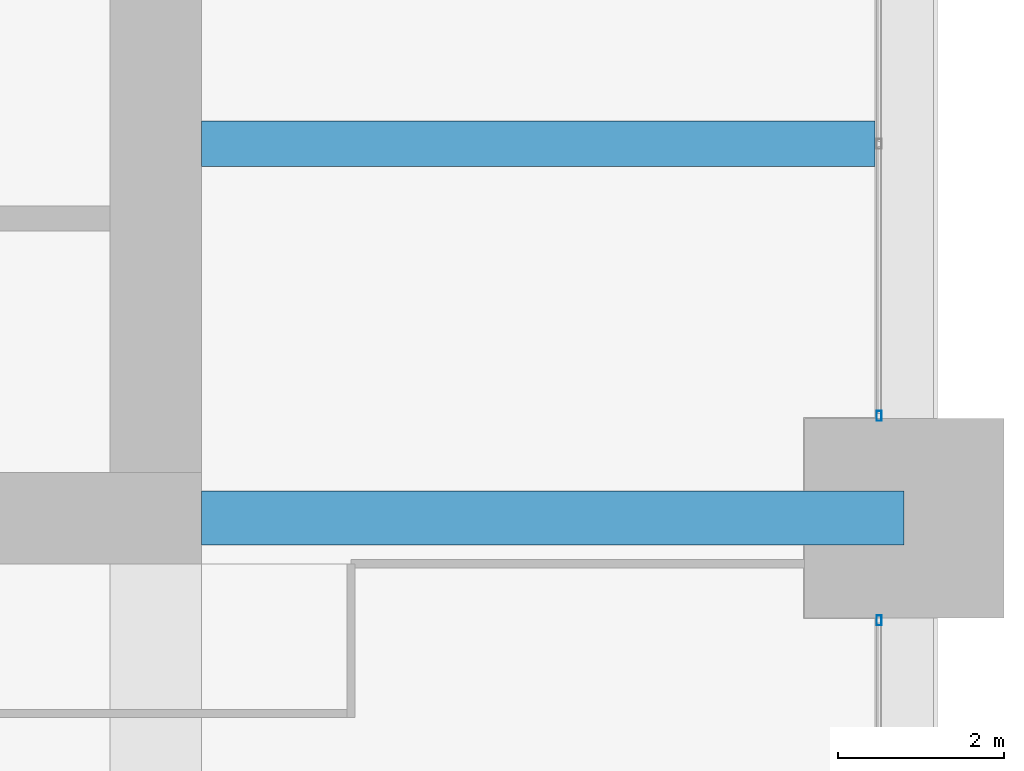
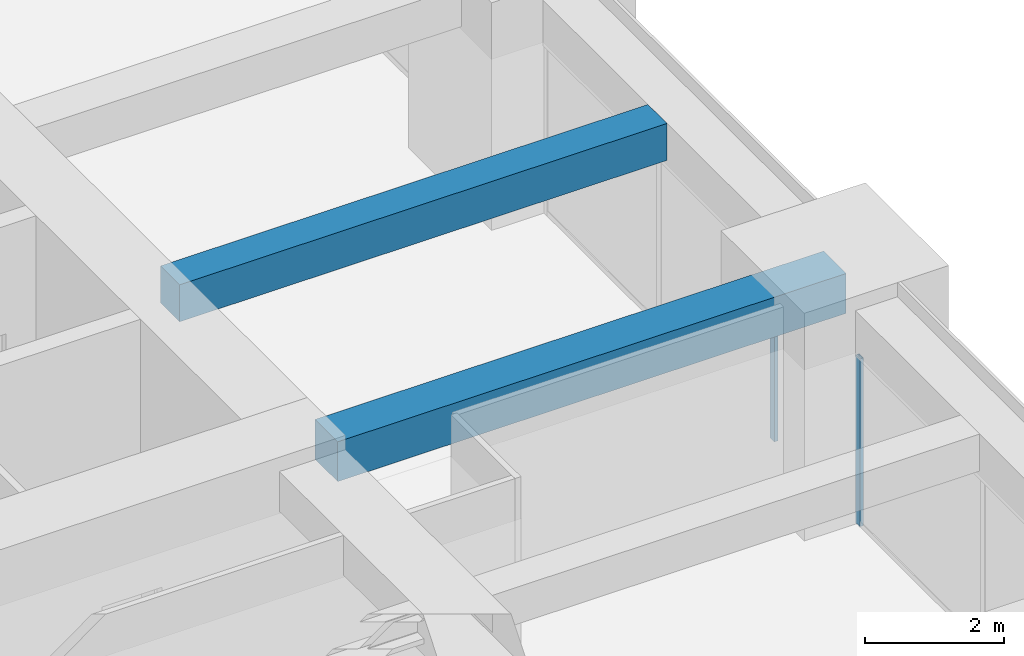
# One storey, part 24 of 45: 2 beams, 2 members, 2 elements without a shape of their own.
"""IFC4 building model written with IfcOpenShell, lengths in metres."""

from ifc_helpers import new_model, si_unit, direction, frame, origin, origin_2d, place, context, subcontext, project, spatial, rectangle, hollow_rectangle, extrude, material, material_profile, profile_set, type_object, element, aggregate, save


model = new_model("IFC4")

# Units and contexts
model_context = context("Model", 3, precision=1e-05, world=origin(), true_north=direction((0.0, 1.0)))
body_context = subcontext(model_context, "Body", "Model", "MODEL_VIEW")
ifc_project = project(units=[si_unit("LENGTHUNIT", "METRE"), si_unit("AREAUNIT", "SQUARE_METRE"), si_unit("VOLUMEUNIT", "CUBIC_METRE"), si_unit("PLANEANGLEUNIT", "RADIAN"), si_unit("MASSUNIT", "GRAM", prefix="KILO")], contexts=[model_context])

# Site, building, storey
site_placement = place(None, origin())
site = spatial("IfcSite", under=ifc_project, at=site_placement, CompositionType="ELEMENT")
building_placement = place(site_placement, origin())
building = spatial("IfcBuilding", under=site, at=building_placement, Name="Zorevar Civic Tower", CompositionType="ELEMENT")
storey_placement = place(building_placement, frame((0.0, 0.0, 247.39990234375)))
storey = spatial("IfcBuildingStorey", under=building, at=storey_placement, Name="L60", CompositionType="ELEMENT", Elevation=247.39990234375)

# Beams
ifc_material_1 = material(Name="Concrete C50/60", Category="concrete")
ifc_material_profile_1 = material_profile(ifc_material_1, rectangle(XDim=0.550048828125, YDim=0.64990234375, at=origin_2d()), Name="RC 550x650")
ifc_profile_set_1 = profile_set([ifc_material_profile_1], Name="Concrete C50/60")
beam_type_1 = type_object("IfcBeamType", Name="Beam RC 550x650", PredefinedType="BEAM", material=ifc_profile_set_1)
beam_1_placement = place(storey_placement, frame((45.550048828125, 22.5, 3.425048828125), z_axis=(1.0, 0.0, 0.0), x_axis=(0.0, 1.0, 0.0)))
element("IfcBeam", 1, at=beam_1_placement, inside=storey, type_object=beam_type_1, Name="Secondary beam L61", PredefinedType="BEAM", context=body_context, shape_type="SweptSolid", body=[
    extrude(rectangle(XDim=0.550048828125, YDim=0.64990234375, at=origin_2d()), origin(), (0.0, 0.0, 1.0), 8.099853515625),
])
ifc_material_2 = material(Name="Concrete C50/60", Category="concrete")
ifc_material_profile_2 = material_profile(ifc_material_2, rectangle(XDim=0.64990234375, YDim=0.699951171875, at=origin_2d()), Name="RC 650x700")
ifc_profile_set_2 = profile_set([ifc_material_profile_2], Name="Concrete C50/60")
beam_type_2 = type_object("IfcBeamType", Name="Beam RC 650x700", PredefinedType="BEAM", material=ifc_profile_set_2)
beam_2_placement = place(storey_placement, frame((45.550048828125, 18.0, 3.400146484375), z_axis=(1.0, 0.0, 0.0), x_axis=(0.0, 1.0, 0.0)))
element("IfcBeam", 2, at=beam_2_placement, inside=storey, type_object=beam_type_2, Name="Girder L61", PredefinedType="BEAM", context=body_context, shape_type="SweptSolid", body=[
    extrude(rectangle(XDim=0.64990234375, YDim=0.699951171875, at=origin_2d()), origin(), (0.0, 0.0, 1.0), 8.449951171875),
])

# Curtain wall, member
ifc_material_3 = material(Name="Dark grey solar-control glass in black aluminium frame", Category="aluminium")
curtain_wall_type = type_object("IfcCurtainWallType", Name="Curtain wall CW5 top zone", PredefinedType="NOTDEFINED", material=ifc_material_3)
curtain_wall_1_placement = place(storey_placement, origin())
curtain_wall_1 = element("IfcCurtainWall", 3, at=curtain_wall_1_placement, inside=storey, type_object=curtain_wall_type, Name="CW5 L60", PredefinedType="NOTDEFINED")
ifc_material_4 = material(Name="Aluminium, black anodised", Category="aluminium")
ifc_material_profile_3 = material_profile(ifc_material_4, hollow_rectangle(XDim=0.06005859375, YDim=0.1201171875, WallThickness=0.0029296875, at=origin_2d()), Name="AL 120x60x3")
ifc_profile_set_3 = profile_set([ifc_material_profile_3], Name="Aluminium, black anodised")
member_type = type_object("IfcMemberType", Name="CW5 mullion AL 120x60x3", PredefinedType="MULLION", material=ifc_profile_set_3)
member_1_placement = place(storey_placement, frame((53.699951171875, 16.77001953125, 0.0), z_axis=(0.0, 0.0, 1.0), x_axis=(-1.0, 0.0, 0.0)))
member_1 = element("IfcMember", 4, at=member_1_placement, type_object=member_type, Name="CW5 mullion 3", PredefinedType="MULLION", context=body_context, shape_type="SweptSolid", body=[
    extrude(hollow_rectangle(XDim=0.06005859375, YDim=0.1201171875, WallThickness=0.0029296875, at=origin_2d()), origin(), (0.0, 0.0, 1.0), 2.9501953125),
])
aggregate(curtain_wall_1, [member_1])

curtain_wall_2_placement = place(storey_placement, origin())
curtain_wall_2 = element("IfcCurtainWall", 5, at=curtain_wall_2_placement, inside=storey, type_object=curtain_wall_type, Name="CW5 L60", PredefinedType="NOTDEFINED")
member_2_placement = place(storey_placement, frame((53.699951171875, 19.22998046875, 0.0), z_axis=(0.0, 0.0, 1.0), x_axis=(-1.0, 0.0, 0.0)))
member_2 = element("IfcMember", 6, at=member_2_placement, type_object=member_type, Name="CW5 mullion 1", PredefinedType="MULLION", context=body_context, shape_type="SweptSolid", body=[
    extrude(hollow_rectangle(XDim=0.06005859375, YDim=0.1201171875, WallThickness=0.0029296875, at=origin_2d()), origin(), (0.0, 0.0, 1.0), 2.9501953125),
])
aggregate(curtain_wall_2, [member_2])

save(model, "model.ifc")
